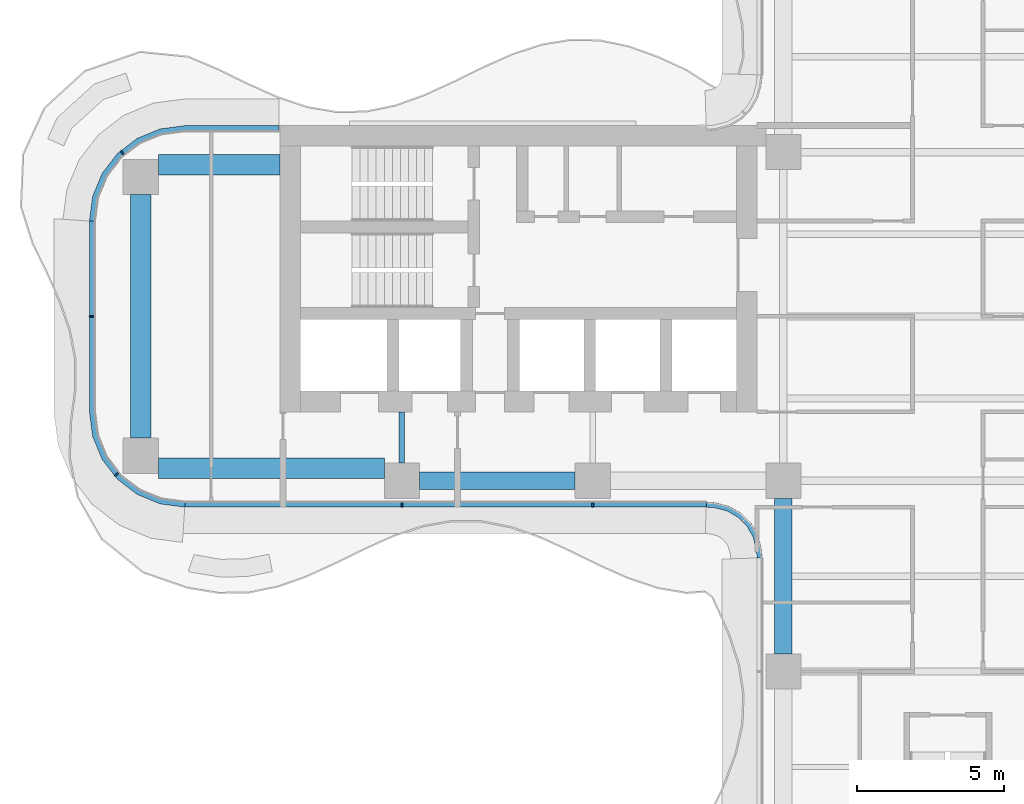
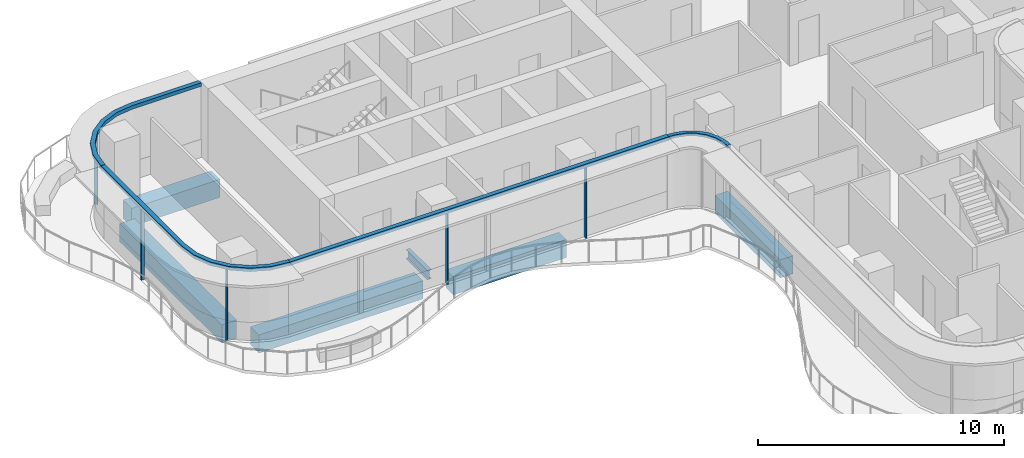
# One storey, part 3 of 17: 9 members, 6 beams, 4 elements without a shape of their own.
"""IFC4 building model written with IfcOpenShell, lengths in metres."""

from ifc_helpers import new_model, si_unit, direction, frame, origin, origin_2d, place, context, subcontext, project, spatial, polyline, rectangle, i_section, outline, extrude, source, transform, mapped, material, layer, layer_set, material_profile, profile_set, type_object, element, aggregate, save


model = new_model("IFC4")

# Units and contexts
model_context = context("Model", 3, precision=1e-05, world=origin(), true_north=direction((0.0, 1.0)))
body_context = subcontext(model_context, "Body", "Model", "MODEL_VIEW")
ifc_project = project(units=[si_unit("LENGTHUNIT", "METRE"), si_unit("AREAUNIT", "SQUARE_METRE"), si_unit("VOLUMEUNIT", "CUBIC_METRE"), si_unit("PLANEANGLEUNIT", "RADIAN"), si_unit("MASSUNIT", "GRAM", prefix="KILO")], contexts=[model_context])

# Site, building, storey
site_placement = place(None, origin())
site = spatial("IfcSite", under=ifc_project, at=site_placement, CompositionType="ELEMENT")
building_placement = place(site_placement, origin())
building = spatial("IfcBuilding", under=site, at=building_placement, Name="Trellis Farm Tower", CompositionType="ELEMENT")
storey_placement = place(building_placement, frame((0.0, 0.0, 181.5)))
storey = spatial("IfcBuildingStorey", under=building, at=storey_placement, Name="L39", CompositionType="ELEMENT", Elevation=181.5)

# Beams
ifc_material_1 = material(Name="Concrete C60/75", Category="concrete")
ifc_material_profile_1 = material_profile(ifc_material_1, rectangle(XDim=0.60009765625, YDim=0.89990234375, at=origin_2d()), Name="RC spandrel beam 600x900 C60/75")
ifc_profile_set_1 = profile_set([ifc_material_profile_1], Name="Concrete C60/75")
beam_type_1 = type_object("IfcBeamType", Name="RC spandrel beam 600x900 C60/75", PredefinedType="SPANDREL", material=ifc_profile_set_1)
shared_shape_1 = source(origin(), body_context, "Body", "SweptSolid", [
    extrude(rectangle(XDim=0.60009765625, YDim=0.89990234375, at=origin_2d()), origin(), (0.0, 0.0, 1.0), 5.300048828125),
])
for number, where, z_axis, x_axis, name in (
    (1, (-18.0, -5.60009765625, -0.64990234375), (1.0, 0.0, 0.0), (0.0, 1.0, 0.0), "Girder"),
    (2, (-5.60009765625, -11.5, -0.64990234375), (0.0, 1.0, 0.0), (-1.0, 0.0, 0.0), "Girder"),
):
    element("IfcBeam", number, at=place(storey_placement, frame(where, z_axis=z_axis, x_axis=x_axis)), inside=storey, type_object=beam_type_1, Name=name, PredefinedType="SPANDREL", context=body_context, shape_type="MappedRepresentation", body=[
        mapped(shared_shape_1, transform((0.0, 0.0, 0.0))),
    ])
ifc_material_profile_2 = material_profile(ifc_material_1, rectangle(XDim=0.699951171875, YDim=0.89990234375, at=origin_2d()), Name="RC spandrel beam 700x900 C60/75")
ifc_profile_set_2 = profile_set([ifc_material_profile_2], Name="Concrete C60/75")
beam_type_2 = type_object("IfcBeamType", Name="RC spandrel beam 700x900 C60/75", PredefinedType="SPANDREL", material=ifc_profile_set_2)
shared_shape_2 = source(origin(), body_context, "Body", "SweptSolid", [
    extrude(rectangle(XDim=0.699951171875, YDim=0.89990234375, at=origin_2d()), origin(), (0.0, 0.0, 1.0), 8.2998046875),
])
beam_1_placement = place(storey_placement, frame((-27.5, -4.14990234375, -0.64990234375), z_axis=(0.0, 1.0, 0.0), x_axis=(-1.0, 0.0, 0.0)))
element("IfcBeam", 3, at=beam_1_placement, inside=storey, type_object=beam_type_2, Name="Girder", PredefinedType="SPANDREL", context=body_context, shape_type="MappedRepresentation", body=[
    mapped(shared_shape_2, transform((0.0, 0.0, 0.0))),
])
ifc_material_2 = material(Name="Steel S355", Category="steel")
ifc_material_profile_3 = material_profile(ifc_material_2, i_section(OverallWidth=0.1904296875, OverallDepth=0.45703125, WebThickness=0.009033203125, FlangeThickness=0.014404296875, FilletRadius=0.01025390625, at=origin_2d()), Name="UB 457x191x74")
ifc_profile_set_3 = profile_set([ifc_material_profile_3], Name="Steel S355")
beam_type_3 = type_object("IfcBeamType", Name="UB 457x191x74", PredefinedType="BEAM", material=ifc_profile_set_3)
shared_shape_3 = source(origin(), body_context, "Body", "SweptSolid", [
    extrude(i_section(OverallWidth=0.1904296875, OverallDepth=0.45703125, WebThickness=0.009033203125, FlangeThickness=0.014404296875, FilletRadius=0.01025390625, at=origin_2d()), origin(), (0.0, 0.0, 1.0), 1.75),
])
beam_2_placement = place(storey_placement, frame((-18.60009765625, -5.0, -0.428466796875), z_axis=(0.0, 1.0, 0.0), x_axis=(-1.0, 0.0, 0.0)))
element("IfcBeam", 4, at=beam_2_placement, inside=storey, type_object=beam_type_3, Name="Girder", PredefinedType="BEAM", context=body_context, shape_type="MappedRepresentation", body=[
    mapped(shared_shape_3, transform((0.0, 0.0, 0.0))),
])
shared_shape_4 = source(origin(), body_context, "Body", "SweptSolid", [
    extrude(rectangle(XDim=0.699951171875, YDim=0.89990234375, at=origin_2d()), origin(), (0.0, 0.0, 1.0), 7.699951171875),
])
beam_3_placement = place(storey_placement, frame((-26.89990234375, -5.175048828125, -0.64990234375), z_axis=(1.0, 0.0, 0.0), x_axis=(0.0, 1.0, 0.0)))
element("IfcBeam", 5, at=beam_3_placement, inside=storey, type_object=beam_type_2, Name="Girder", PredefinedType="SPANDREL", context=body_context, shape_type="MappedRepresentation", body=[
    mapped(shared_shape_4, transform((0.0, 0.0, 0.0))),
])
shared_shape_5 = source(origin(), body_context, "Body", "SweptSolid", [
    extrude(rectangle(XDim=0.699951171875, YDim=0.89990234375, at=origin_2d()), origin(), (0.0, 0.0, 1.0), 4.14990234375),
])
beam_4_placement = place(storey_placement, frame((-26.89990234375, 5.175048828125, -0.64990234375), z_axis=(1.0, 0.0, 0.0), x_axis=(0.0, 1.0, 0.0)))
element("IfcBeam", 6, at=beam_4_placement, inside=storey, type_object=beam_type_2, Name="Girder", PredefinedType="SPANDREL", context=body_context, shape_type="MappedRepresentation", body=[
    mapped(shared_shape_5, transform((0.0, 0.0, 0.0))),
])

# Curtain wall, member
ifc_material_3 = material(Name="Aluminium and glass curtain wall", Category="aluminium")
ifc_layer_1 = layer(ifc_material_3, 0.166015625)
ifc_layer_set_1 = layer_set([ifc_layer_1], Name="WINTER GARDEN CURTAIN WALL CW3")
curtain_wall_type_1 = type_object("IfcCurtainWallType", Name="WINTER GARDEN CURTAIN WALL CW3", PredefinedType="NOTDEFINED", material=ifc_layer_set_1)
placement_1 = place(storey_placement, origin())
curtain_wall_1 = element("IfcCurtainWall", 7, at=placement_1, inside=storey, type_object=curtain_wall_type_1, Name="CW3 001", PredefinedType="NOTDEFINED")
ifc_material_4 = material(Name="Aluminium extrusion 6063-T6", Category="aluminium")
ifc_layer_2 = layer(ifc_material_4, 0.169921875)
ifc_layer_set_2 = layer_set([ifc_layer_2], Name="Aluminium extrusion 6063-T6")
member_type_1 = type_object("IfcMemberType", Name="CW3 TRANSOM 170x150", PredefinedType="USERDEFINED", material=ifc_layer_set_2)
shared_shape_6 = source(origin(), body_context, "Body", "SweptSolid", [
    extrude(outline(polyline([(-8.2314453125, -6.5), (-8.01953125, -6.513916015625), (-7.91552734375, -6.527587890625), (-7.508544921875, -6.63671875), (-7.144287109375, -6.846923828125), (-6.846923828125, -7.144287109375), (-6.63671875, -7.508544921875), (-6.527587890625, -7.91552734375), (-6.513916015625, -8.01953125), (-6.5, -8.2314453125), (-6.330078125, -8.225830078125), (-6.3447265625, -8.0029296875), (-6.360595703125, -7.88232421875), (-6.478271484375, -7.44287109375), (-6.7109375, -7.0400390625), (-7.0400390625, -6.7109375), (-7.44287109375, -6.478271484375), (-7.88232421875, -6.360595703125), (-8.0029296875, -6.3447265625), (-8.225830078125, -6.330078125), (-8.2314453125, -6.5)])), origin(), (0.0, 0.0, 1.0), 0.14990234375),
])
member_1_placement = place(storey_placement, frame((0.0, 0.0, 3.550048828125)))
member_1 = element("IfcMember", 8, at=member_1_placement, type_object=member_type_1, Name="TR3 001", ObjectType="TRANSOM", PredefinedType="USERDEFINED", context=body_context, shape_type="MappedRepresentation", body=[
    mapped(shared_shape_6, transform((0.0, 0.0, 0.0))),
])
aggregate(curtain_wall_1, [member_1])

# Curtain wall, members
ifc_layer_3 = layer(ifc_material_3, 0.18994140625)
ifc_layer_set_3 = layer_set([ifc_layer_3], Name="RIBBON CURTAIN WALL CW1")
curtain_wall_type_2 = type_object("IfcCurtainWallType", Name="RIBBON CURTAIN WALL CW1", PredefinedType="NOTDEFINED", material=ifc_layer_set_3)
curtain_wall_2 = element("IfcCurtainWall", 9, at=placement_1, inside=storey, type_object=curtain_wall_type_2, Name="CW1 001", PredefinedType="NOTDEFINED")
ifc_material_profile_4 = material_profile(ifc_material_4, rectangle(XDim=0.06005859375, YDim=0.14990234375, at=origin_2d()), Name="MULLION 60x150")
ifc_profile_set_4 = profile_set([ifc_material_profile_4], Name="Aluminium extrusion 6063-T6")
member_type_2 = type_object("IfcMemberType", Name="CW1 MULLION 60x150", PredefinedType="MULLION", material=ifc_profile_set_4)
shared_shape_7 = source(origin(), body_context, "Body", "SweptSolid", [
    extrude(rectangle(XDim=0.06005859375, YDim=0.14990234375, at=origin_2d()), origin(), (0.0, 0.0, 1.0), 3.52001953125),
])
member_2_placement = place(storey_placement, frame((-18.60009765625, -6.425048828125, 0.0), z_axis=(0.0, 0.0, 1.0), x_axis=(1.0, 0.0, 0.0)))
member_2 = element("IfcMember", 10, at=member_2_placement, type_object=member_type_2, Name="MU1 001-01", PredefinedType="MULLION", context=body_context, shape_type="MappedRepresentation", body=[
    mapped(shared_shape_7, transform((0.0, 0.0, 0.0))),
])
member_3_placement = place(storey_placement, frame((-12.10009765625, -6.425048828125, 0.0), z_axis=(0.0, 0.0, 1.0), x_axis=(1.0, 0.0, 0.0)))
member_3 = element("IfcMember", 11, at=member_3_placement, type_object=member_type_2, Name="MU1 001-02", PredefinedType="MULLION", context=body_context, shape_type="MappedRepresentation", body=[
    mapped(shared_shape_7, transform((0.0, 0.0, 0.0))),
])

# Curtain wall, member
curtain_wall_3 = element("IfcCurtainWall", 12, at=placement_1, inside=storey, type_object=curtain_wall_type_2, Name="CW1 012", PredefinedType="NOTDEFINED")
member_4_placement = place(storey_placement, frame((-28.135498046875, 5.578369140625, 0.0), z_axis=(0.0, 0.0, 1.0), x_axis=(-0.793353340291, -0.608761429009, 0.0)))
member_4 = element("IfcMember", 13, at=member_4_placement, type_object=member_type_2, Name="MU1 012-01", PredefinedType="MULLION", context=body_context, shape_type="MappedRepresentation", body=[
    mapped(shared_shape_7, transform((0.0, 0.0, 0.0))),
])

# Curtain wall, members
curtain_wall_4 = element("IfcCurtainWall", 14, at=placement_1, inside=storey, type_object=curtain_wall_type_2, Name="CW1 013", PredefinedType="NOTDEFINED")
member_5_placement = place(storey_placement, frame((-29.175048828125, 0.0, 0.0), z_axis=(0.0, 0.0, 1.0), x_axis=(0.0, -1.0, 0.0)))
member_5 = element("IfcMember", 15, at=member_5_placement, type_object=member_type_2, Name="MU1 013-01", PredefinedType="MULLION", context=body_context, shape_type="MappedRepresentation", body=[
    mapped(shared_shape_7, transform((0.0, 0.0, 0.0))),
])
member_6_placement = place(storey_placement, frame((-28.328369140625, -5.385498046875, 0.0), z_axis=(0.0, 0.0, 1.0), x_axis=(0.608761429009, -0.793353340291, 0.0)))
member_6 = element("IfcMember", 16, at=member_6_placement, type_object=member_type_2, Name="MU1 013-02", PredefinedType="MULLION", context=body_context, shape_type="MappedRepresentation", body=[
    mapped(shared_shape_7, transform((0.0, 0.0, 0.0))),
])

# Member
ifc_layer_4 = layer(ifc_material_4, 0.199951171875)
ifc_layer_set_4 = layer_set([ifc_layer_4], Name="Aluminium extrusion 6063-T6")
member_type_3 = type_object("IfcMemberType", Name="CW1 TRANSOM 200x180", PredefinedType="USERDEFINED", material=ifc_layer_set_4)
shared_shape_8 = source(origin(), body_context, "Body", "SweptSolid", [
    extrude(outline(polyline([(-26.0, -6.5), (-8.2314453125, -6.5), (-8.224853515625, -6.300048828125), (-25.98681640625, -6.300048828125), (-26.0, -6.5)])), origin(), (0.0, 0.0, 1.0), 0.179931640625),
])
placement_2 = place(storey_placement, frame((0.0, 0.0, 3.52001953125)))
member_7 = element("IfcMember", 17, at=placement_2, type_object=member_type_3, Name="TR1 001", ObjectType="TRANSOM", PredefinedType="USERDEFINED", context=body_context, shape_type="MappedRepresentation", body=[
    mapped(shared_shape_8, transform((0.0, 0.0, 0.0))),
])

aggregate(curtain_wall_2, [member_2, member_3, member_7])

shared_shape_9 = source(origin(), body_context, "Body", "SweptSolid", [
    extrude(outline(polyline([(-22.780029296875, 6.5), (-26.0, 6.5), (-26.841064453125, 6.38916015625), (-27.625, 6.064697265625), (-28.298095703125, 5.548095703125), (-28.814697265625, 4.875), (-29.13916015625, 4.091064453125), (-29.25, 3.25), (-29.050048828125, 3.23681640625), (-28.9443359375, 4.0390625), (-28.639892578125, 4.774169921875), (-28.155517578125, 5.405517578125), (-27.524169921875, 5.889892578125), (-26.7890625, 6.1943359375), (-25.98681640625, 6.300048828125), (-22.780029296875, 6.300048828125), (-22.780029296875, 6.5)])), origin(), (0.0, 0.0, 1.0), 0.179931640625),
])
member_8 = element("IfcMember", 18, at=placement_2, type_object=member_type_3, Name="TR1 012", ObjectType="TRANSOM", PredefinedType="USERDEFINED", context=body_context, shape_type="MappedRepresentation", body=[
    mapped(shared_shape_9, transform((0.0, 0.0, 0.0))),
])

aggregate(curtain_wall_3, [member_4, member_8])

shared_shape_10 = source(origin(), body_context, "Body", "SweptSolid", [
    extrude(outline(polyline([(-29.25, 3.25), (-29.25, -3.25), (-29.13916015625, -4.091064453125), (-28.814697265625, -4.875), (-28.298095703125, -5.548095703125), (-27.625, -6.064697265625), (-26.841064453125, -6.38916015625), (-26.0, -6.5), (-25.98681640625, -6.300048828125), (-26.7890625, -6.1943359375), (-27.524169921875, -5.889892578125), (-28.155517578125, -5.405517578125), (-28.639892578125, -4.774169921875), (-28.9443359375, -4.0390625), (-29.050048828125, -3.23681640625), (-29.050048828125, 3.23681640625), (-29.25, 3.25)])), origin(), (0.0, 0.0, 1.0), 0.179931640625),
])
member_9 = element("IfcMember", 19, at=placement_2, type_object=member_type_3, Name="TR1 013", ObjectType="TRANSOM", PredefinedType="USERDEFINED", context=body_context, shape_type="MappedRepresentation", body=[
    mapped(shared_shape_10, transform((0.0, 0.0, 0.0))),
])

aggregate(curtain_wall_4, [member_5, member_6, member_9])

save(model, "model.ifc")
